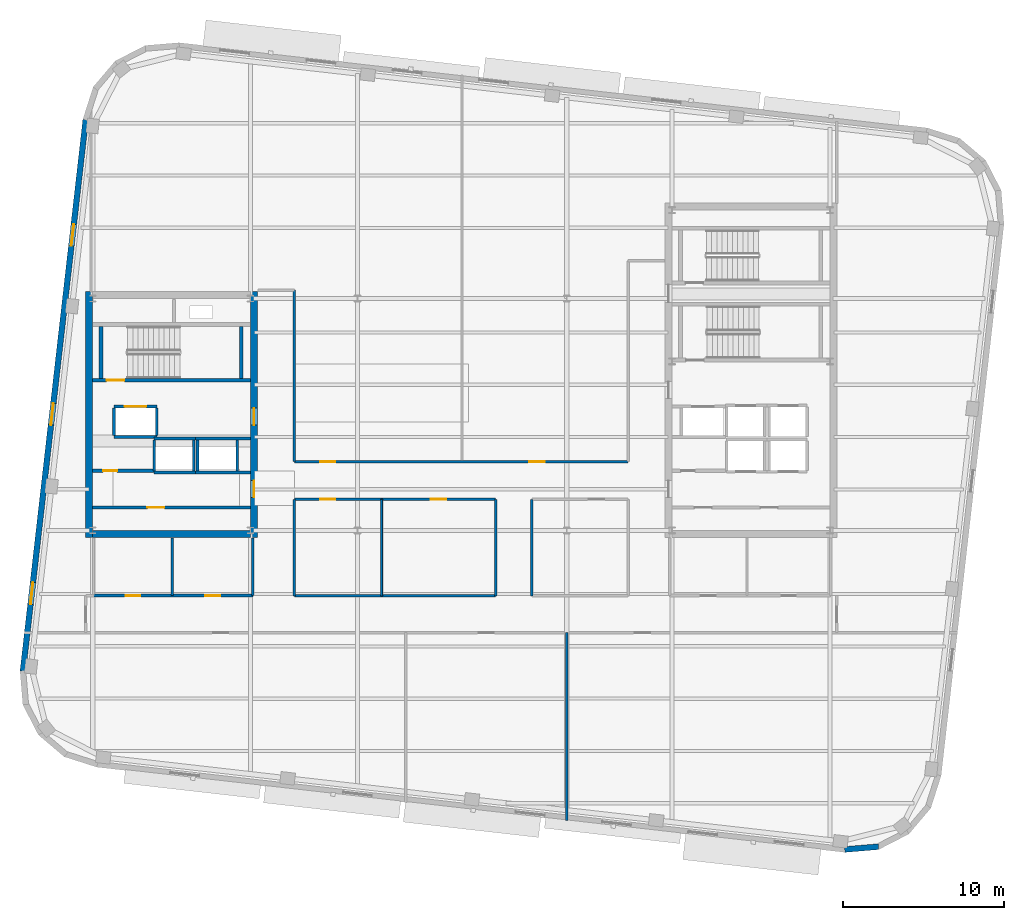
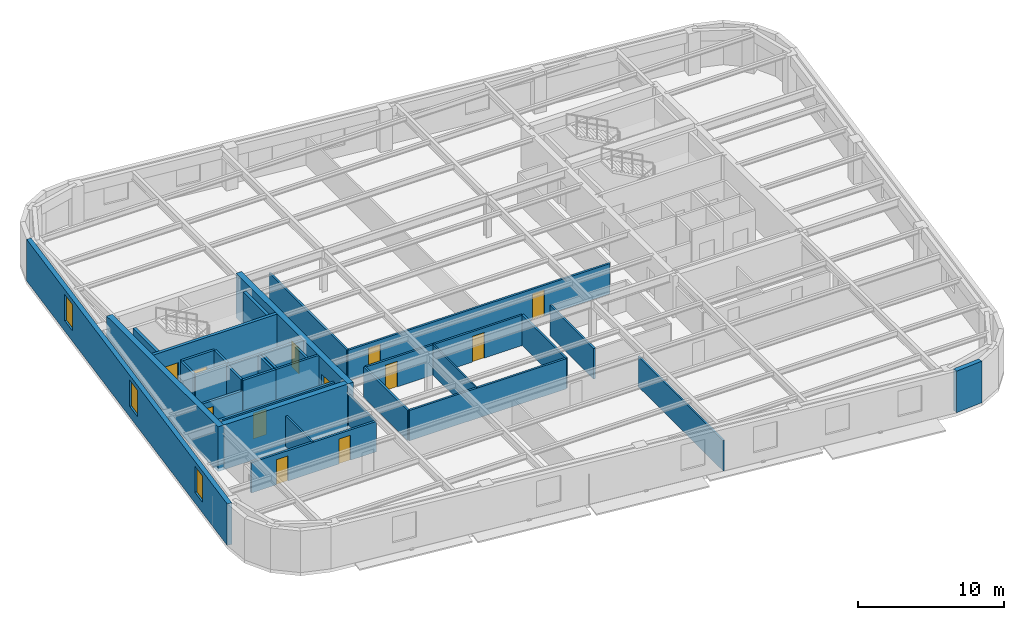
# One storey, part 6 of 13: 34 walls, 12 doors, 3 windows, 15 openings.
"""IFC4 building model written with IfcOpenShell, lengths in metres."""

from ifc_helpers import new_model, si_unit, direction, frame, frame_2d, origin, place, context, subcontext, project, spatial, rectangle, extrude, material, layer, layer_set, type_object, element, fill, save


model = new_model("IFC4")

# Units and contexts
model_context = context("Model", 3, precision=1e-05, world=origin(), true_north=direction((0.0, 1.0)))
body_context = subcontext(model_context, "Body", "Model", "MODEL_VIEW")
ifc_project = project(units=[si_unit("LENGTHUNIT", "METRE"), si_unit("AREAUNIT", "SQUARE_METRE"), si_unit("VOLUMEUNIT", "CUBIC_METRE"), si_unit("PLANEANGLEUNIT", "RADIAN"), si_unit("MASSUNIT", "GRAM", prefix="KILO")], contexts=[model_context])

# Site, building, storey
site_placement = place(None, origin())
site = spatial("IfcSite", under=ifc_project, at=site_placement, CompositionType="ELEMENT")
building_placement = place(site_placement, origin())
building = spatial("IfcBuilding", under=site, at=building_placement, Name="Kolvaren Arena Tower", CompositionType="ELEMENT")
storey_placement = place(building_placement, frame((0.0, 0.0, 262.199951171875)))
storey = spatial("IfcBuildingStorey", under=building, at=storey_placement, Name="L64", CompositionType="ELEMENT", Elevation=262.199951171875)

# Wall, openings, doors
ifc_material_1 = material(Name="Gypsum board acoustic assembly", Category="gypsum")
ifc_layer_1 = layer(ifc_material_1, 0.159912109375)
ifc_layer_set_1 = layer_set([ifc_layer_1], Name="Gypsum board acoustic assembly")
wall_type_1 = type_object("IfcWallType", Name="CORR-160", PredefinedType="PARTITIONING", material=ifc_layer_set_1)
wall_1_placement = place(storey_placement, frame((27.080078125, 23.719970703125, 0.0), z_axis=(0.0, 0.0, 1.0), x_axis=(1.0, 0.0, 0.0)))
wall_1 = element("IfcWall", 1, at=wall_1_placement, inside=storey, type_object=wall_type_1, Name="Interior Partition Wall (L64)", PredefinedType="PARTITIONING", context=body_context, shape_type="SweptSolid", body=[
    extrude(rectangle(XDim=20.739990234375, YDim=0.159912109375, at=frame_2d((10.3701171875, 0.0))), origin(), (0.0, 0.0, 1.0), 2.5400390625),
])
opening_1_placement = place(wall_1_placement, frame((1.594970703125, 0.0, 0.0)))
opening_1 = element("IfcOpeningElement", 2, at=opening_1_placement, cuts=wall_1, Name="Opening D05", PredefinedType="OPENING", context=body_context, shape_type="SweptSolid", body=[
    extrude(rectangle(XDim=0.949951171875, YDim=2.14990234375, at=frame_2d((0.47509765625, 1.074951171875))), frame((0.0, 0.08984375, 0.0), z_axis=(0.0, -1.0, 0.0), x_axis=(1.0, 0.0, 0.0)), (0.0, 0.0, 1.0), 0.179931640625),
])
opening_2_placement = place(wall_1_placement, frame((14.594970703125, 0.0, 0.0)))
opening_2 = element("IfcOpeningElement", 3, at=opening_2_placement, cuts=wall_1, Name="Opening D05", PredefinedType="OPENING", context=body_context, shape_type="SweptSolid", body=[
    extrude(rectangle(XDim=0.949951171875, YDim=2.14990234375, at=frame_2d((0.47509765625, 1.074951171875))), frame((0.0, 0.08984375, 0.0), z_axis=(0.0, -1.0, 0.0), x_axis=(1.0, 0.0, 0.0)), (0.0, 0.0, 1.0), 0.179931640625),
])
ifc_material_2 = material(Name="Solid-core oak acoustic office door", Category="wood")
door_type_1 = type_object("IfcDoorType", Name="DOOR-OF-095", OperationType="NOTDEFINED", PredefinedType="DOOR", material=ifc_material_2)
door_1_placement = place(opening_1_placement, origin())
door_1 = element("IfcDoor", 4, at=door_1_placement, inside=storey, type_object=door_type_1, Name="Corporate Project Office Door (L64)", OperationType="SINGLE_SWING_LEFT", OverallHeight=2.14990234375, OverallWidth=0.949951171875, PredefinedType="DOOR", context=body_context, shape_type="SweptSolid", body=[
    extrude(rectangle(XDim=0.949951171875, YDim=2.14990234375, at=frame_2d((0.47509765625, 1.074951171875))), frame((0.0, 0.02490234375, 0.0), z_axis=(0.0, -1.0, 0.0), x_axis=(1.0, 0.0, 0.0)), (0.0, 0.0, 1.0), 0.050048828125),
])
fill(opening_1, door_1)
door_2_placement = place(opening_2_placement, origin())
door_2 = element("IfcDoor", 5, at=door_2_placement, inside=storey, type_object=door_type_1, Name="Breakout Pantry and Kitchen Door (L64)", OperationType="SINGLE_SWING_RIGHT", OverallHeight=2.14990234375, OverallWidth=0.949951171875, PredefinedType="DOOR", context=body_context, shape_type="SweptSolid", body=[
    extrude(rectangle(XDim=0.949951171875, YDim=2.14990234375, at=frame_2d((0.47509765625, 1.074951171875))), frame((0.0, 0.02490234375, 0.0), z_axis=(0.0, -1.0, 0.0), x_axis=(1.0, 0.0, 0.0)), (0.0, 0.0, 1.0), 0.050048828125),
])
fill(opening_2, door_2)

# Wall
wall_2_placement = place(storey_placement, frame((27.080078125, 23.719970703125, 0.0), z_axis=(0.0, 0.0, 1.0), x_axis=(0.0, 1.0, 0.0)))
element("IfcWall", 6, at=wall_2_placement, inside=storey, type_object=wall_type_1, Name="Interior Partition Wall (L64)", PredefinedType="PARTITIONING", context=body_context, shape_type="SweptSolid", body=[
    extrude(rectangle(XDim=10.659912109375, YDim=0.159912109375, at=frame_2d((5.330078125, 0.0))), origin(), (0.0, 0.0, 1.0), 2.5400390625),
])

# Wall, openings, doors
wall_3_placement = place(storey_placement, frame((27.10009765625, 21.3798828125, 0.0), z_axis=(0.0, 0.0, 1.0), x_axis=(1.0, 0.0, 0.0)))
wall_3 = element("IfcWall", 7, at=wall_3_placement, inside=storey, type_object=wall_type_1, Name="Interior Partition Wall (L64)", PredefinedType="PARTITIONING", context=body_context, shape_type="SweptSolid", body=[
    extrude(rectangle(XDim=12.4599609375, YDim=0.159912109375, at=frame_2d((6.22998046875, 0.0))), origin(), (0.0, 0.0, 1.0), 2.5400390625),
])
opening_3_placement = place(wall_3_placement, frame((1.574951171875, 0.0, 0.0)))
opening_3 = element("IfcOpeningElement", 8, at=opening_3_placement, cuts=wall_3, Name="Opening D05", PredefinedType="OPENING", context=body_context, shape_type="SweptSolid", body=[
    extrude(rectangle(XDim=0.949951171875, YDim=2.14990234375, at=frame_2d((0.47509765625, 1.074951171875))), frame((0.0, 0.08984375, 0.0), z_axis=(0.0, -1.0, 0.0), x_axis=(1.0, 0.0, 0.0)), (0.0, 0.0, 1.0), 0.179931640625),
])
opening_4_placement = place(wall_3_placement, frame((8.455078125, 0.0, 0.0)))
opening_4 = element("IfcOpeningElement", 9, at=opening_4_placement, cuts=wall_3, Name="Opening D05", PredefinedType="OPENING", context=body_context, shape_type="SweptSolid", body=[
    extrude(rectangle(XDim=0.949951171875, YDim=2.14990234375, at=frame_2d((0.47509765625, 1.074951171875))), frame((0.0, 0.08984375, 0.0), z_axis=(0.0, -1.0, 0.0), x_axis=(1.0, 0.0, 0.0)), (0.0, 0.0, 1.0), 0.179931640625),
])
door_3_placement = place(opening_3_placement, origin())
door_3 = element("IfcDoor", 10, at=door_3_placement, inside=storey, type_object=door_type_1, Name="Meeting Room Door (L64)", OperationType="SINGLE_SWING_LEFT", OverallHeight=2.14990234375, OverallWidth=0.949951171875, PredefinedType="DOOR", context=body_context, shape_type="SweptSolid", body=[
    extrude(rectangle(XDim=0.949951171875, YDim=2.14990234375, at=frame_2d((0.47509765625, 1.074951171875))), frame((0.0, 0.02490234375, 0.0), z_axis=(0.0, -1.0, 0.0), x_axis=(1.0, 0.0, 0.0)), (0.0, 0.0, 1.0), 0.050048828125),
])
fill(opening_3, door_3)
door_4_placement = place(opening_4_placement, origin())
door_4 = element("IfcDoor", 11, at=door_4_placement, inside=storey, type_object=door_type_1, Name="Open Plan Office Door (L64)", OperationType="SINGLE_SWING_RIGHT", OverallHeight=2.14990234375, OverallWidth=0.949951171875, PredefinedType="DOOR", context=body_context, shape_type="SweptSolid", body=[
    extrude(rectangle(XDim=0.949951171875, YDim=2.14990234375, at=frame_2d((0.47509765625, 1.074951171875))), frame((0.0, 0.02490234375, 0.0), z_axis=(0.0, -1.0, 0.0), x_axis=(1.0, 0.0, 0.0)), (0.0, 0.0, 1.0), 0.050048828125),
])
fill(opening_4, door_4)

# Walls
wall_4_placement = place(storey_placement, frame((27.10009765625, 15.3798828125, 0.0), z_axis=(0.0, 0.0, 1.0), x_axis=(1.0, 0.0, 0.0)))
element("IfcWall", 12, at=wall_4_placement, inside=storey, type_object=wall_type_1, Name="Interior Partition Wall (L64)", PredefinedType="PARTITIONING", context=body_context, shape_type="SweptSolid", body=[
    extrude(rectangle(XDim=12.4599609375, YDim=0.159912109375, at=frame_2d((6.22998046875, 0.0))), origin(), (0.0, 0.0, 1.0), 2.5400390625),
])
for number, where, z_axis, x_axis, name in (
    (13, (39.580078125, 15.3798828125, 0.0), (0.0, 0.0, 1.0), (0.0, 1.0, 0.0), "Interior Partition Wall (L64)"),
    (14, (41.820068359375, 15.3798828125, 0.0), (0.0, 0.0, 1.0), (0.0, 1.0, 0.0), "Interior Partition Wall (L64)"),
    (15, (27.080078125, 15.3798828125, 0.0), (0.0, 0.0, 1.0), (0.0, 1.0, 0.0), "Interior Partition Wall (L64)"),
):
    element("IfcWall", number, at=place(storey_placement, frame(where, z_axis=z_axis, x_axis=x_axis)), inside=storey, type_object=wall_type_1, Name=name, PredefinedType="PARTITIONING", context=body_context, shape_type="SweptSolid", body=[
        extrude(rectangle(XDim=6.0, YDim=0.159912109375, at=frame_2d((3.0, 0.0))), origin(), (0.0, 0.0, 1.0), 2.5400390625),
    ])
ifc_material_3 = material(Name="Concrete 55 MPa", Category="concrete")
ifc_layer_2 = layer(ifc_material_3, 0.449951171875)
ifc_layer_set_2 = layer_set([ifc_layer_2], Name="Concrete 55 MPa")
wall_type_2 = type_object("IfcWallType", Name="CWALL-450", PredefinedType="SHEAR", material=ifc_layer_set_2)
wall_5_placement = place(storey_placement, frame((14.324951171875, 19.0, -0.27001953125), z_axis=(0.0, 0.0, 1.0), x_axis=(0.0, 1.0, 0.0)))
element("IfcWall", 16, at=wall_5_placement, inside=storey, type_object=wall_type_2, Name="Core Shear Wall WC-WEST (L64)", PredefinedType="SHEAR", context=body_context, shape_type="SweptSolid", body=[
    extrude(rectangle(XDim=15.300048828125, YDim=0.449951171875, at=frame_2d((7.64990234375, 0.0))), origin(), (0.0, 0.0, 1.0), 3.75),
])

# Wall, openings, doors
wall_6_placement = place(storey_placement, frame((24.574951171875, 19.0, -0.27001953125), z_axis=(0.0, 0.0, 1.0), x_axis=(0.0, 1.0, 0.0)))
wall_6 = element("IfcWall", 17, at=wall_6_placement, inside=storey, type_object=wall_type_2, Name="Core Shear Wall WC-EAST (L64)", PredefinedType="SHEAR", context=body_context, shape_type="SweptSolid", body=[
    extrude(rectangle(XDim=15.300048828125, YDim=0.449951171875, at=frame_2d((7.64990234375, 0.0))), origin(), (0.0, 0.0, 1.0), 3.75),
])
opening_5_placement = place(wall_6_placement, frame((2.5, 0.0, 0.27001953125)))
opening_5 = element("IfcOpeningElement", 18, at=opening_5_placement, cuts=wall_6, Name="Opening D04", PredefinedType="OPENING", context=body_context, shape_type="SweptSolid", body=[
    extrude(rectangle(XDim=1.050048828125, YDim=2.14990234375, at=frame_2d((0.52490234375, 1.074951171875))), frame((0.0, 0.23486328125, 0.0), z_axis=(0.0, -1.0, 0.0), x_axis=(1.0, 0.0, 0.0)), (0.0, 0.0, 1.0), 0.469970703125),
])
opening_6_placement = place(wall_6_placement, frame((7.0, 0.0, 0.27001953125)))
opening_6 = element("IfcOpeningElement", 19, at=opening_6_placement, cuts=wall_6, Name="Opening D04", PredefinedType="OPENING", context=body_context, shape_type="SweptSolid", body=[
    extrude(rectangle(XDim=1.050048828125, YDim=2.14990234375, at=frame_2d((0.52490234375, 1.074951171875))), frame((0.0, 0.23486328125, 0.0), z_axis=(0.0, -1.0, 0.0), x_axis=(1.0, 0.0, 0.0)), (0.0, 0.0, 1.0), 0.469970703125),
])
ifc_material_4 = material(Name="Fire-rated steel lobby door", Category="steel")
door_type_2 = type_object("IfcDoorType", Name="DOOR-FF-105", OperationType="NOTDEFINED", PredefinedType="DOOR", material=ifc_material_4)
door_5_placement = place(opening_5_placement, origin())
door_5 = element("IfcDoor", 20, at=door_5_placement, inside=storey, type_object=door_type_2, Name="West Lift Lobby Fire Door (L64)", OperationType="SINGLE_SWING_LEFT", OverallHeight=2.14990234375, OverallWidth=1.050048828125, PredefinedType="DOOR", context=body_context, shape_type="SweptSolid", body=[
    extrude(rectangle(XDim=1.050048828125, YDim=2.14990234375, at=frame_2d((0.52490234375, 1.074951171875))), frame((0.0, 0.02490234375, 0.0), z_axis=(0.0, -1.0, 0.0), x_axis=(1.0, 0.0, 0.0)), (0.0, 0.0, 1.0), 0.050048828125),
])
fill(opening_5, door_5)
door_6_placement = place(opening_6_placement, origin())
door_6 = element("IfcDoor", 21, at=door_6_placement, inside=storey, type_object=door_type_2, Name="West Firefighter Vestibule Door (L64)", OperationType="SINGLE_SWING_RIGHT", OverallHeight=2.14990234375, OverallWidth=1.050048828125, PredefinedType="DOOR", context=body_context, shape_type="SweptSolid", body=[
    extrude(rectangle(XDim=1.050048828125, YDim=2.14990234375, at=frame_2d((0.52490234375, 1.074951171875))), frame((0.0, 0.02490234375, 0.0), z_axis=(0.0, -1.0, 0.0), x_axis=(1.0, 0.0, 0.0)), (0.0, 0.0, 1.0), 0.050048828125),
])
fill(opening_6, door_6)

# Walls
wall_7_placement = place(storey_placement, frame((14.550048828125, 19.22509765625, -0.27001953125), z_axis=(0.0, 0.0, 1.0), x_axis=(1.0, 0.0, 0.0)))
element("IfcWall", 22, at=wall_7_placement, inside=storey, type_object=wall_type_2, Name="Core Shear Wall WC-SOUTH (L64)", PredefinedType="SHEAR", context=body_context, shape_type="SweptSolid", body=[
    extrude(rectangle(XDim=9.800048828125, YDim=0.449951171875, at=frame_2d((4.89990234375, 0.0))), origin(), (0.0, 0.0, 1.0), 3.75),
])
ifc_material_5 = material(Name="Precast concrete C50/60", Category="concrete")
ifc_layer_3 = layer(ifc_material_5, 0.360107421875)
ifc_layer_set_3 = layer_set([ifc_layer_3], Name="Precast concrete C50/60")
wall_type_3 = type_object("IfcWallType", Name="EXT-PIER2", PredefinedType="SOLIDWALL", material=ifc_layer_set_3)
wall_8_placement = place(storey_placement, frame((63.370361328125, -0.199462890625, 0.0), z_axis=(0.0, 0.0, 1.0), x_axis=(-0.996562518477, -0.082844111233, 0.0)))
element("IfcWall", 23, at=wall_8_placement, inside=storey, type_object=wall_type_3, Name="Exterior Precast Masonry-Frame Wall (L64)", PredefinedType="SOLIDWALL", context=body_context, shape_type="SweptSolid", body=[
    extrude(rectangle(XDim=2.107177734375, YDim=0.360107421875, at=frame_2d((1.0537109375, 0.0))), origin(), (0.0, 0.0, 1.0), 3.47998046875),
])

# Wall, openings, windows
wall_9_placement = place(storey_placement, frame((10.211181640625, 10.70068359375, 0.0), z_axis=(0.0, 0.0, 1.0), x_axis=(0.113203107947, 0.993571867733, 0.0)))
wall_9 = element("IfcWall", 24, at=wall_9_placement, inside=storey, type_object=wall_type_3, Name="Exterior Precast Masonry-Frame Wall (L64)", PredefinedType="SOLIDWALL", context=body_context, shape_type="SweptSolid", body=[
    extrude(rectangle(XDim=34.5, YDim=0.360107421875, at=frame_2d((17.25, 0.0))), origin(), (0.0, 0.0, 1.0), 3.47998046875),
])
opening_7_placement = place(wall_9_placement, frame((4.199951171875, 0.0, 0.8798828125)))
opening_7 = element("IfcOpeningElement", 25, at=opening_7_placement, cuts=wall_9, Name="Opening W04", PredefinedType="OPENING", context=body_context, shape_type="SweptSolid", body=[
    extrude(rectangle(XDim=1.35009765625, YDim=2.199951171875, at=frame_2d((0.675048828125, 1.10009765625))), frame((0.0, 0.18994140625, 0.0), z_axis=(0.0, -1.0, 0.0), x_axis=(1.0, 0.0, 0.0)), (0.0, 0.0, 1.0), 0.380126953125),
])
opening_8_placement = place(wall_9_placement, frame((15.39990234375, 0.0, 0.8798828125)))
opening_8 = element("IfcOpeningElement", 26, at=opening_8_placement, cuts=wall_9, Name="Opening W04", PredefinedType="OPENING", context=body_context, shape_type="SweptSolid", body=[
    extrude(rectangle(XDim=1.35009765625, YDim=2.199951171875, at=frame_2d((0.675048828125, 1.10009765625))), frame((0.0, 0.18994140625, 0.0), z_axis=(0.0, -1.0, 0.0), x_axis=(1.0, 0.0, 0.0)), (0.0, 0.0, 1.0), 0.380126953125),
])
opening_9_placement = place(wall_9_placement, frame((26.60009765625, 0.0, 0.8798828125)))
opening_9 = element("IfcOpeningElement", 27, at=opening_9_placement, cuts=wall_9, Name="Opening W04", PredefinedType="OPENING", context=body_context, shape_type="SweptSolid", body=[
    extrude(rectangle(XDim=1.35009765625, YDim=2.199951171875, at=frame_2d((0.675048828125, 1.10009765625))), frame((0.0, 0.18994140625, 0.0), z_axis=(0.0, -1.0, 0.0), x_axis=(1.0, 0.0, 0.0)), (0.0, 0.0, 1.0), 0.380126953125),
])
ifc_material_6 = material(Name="Triple-glazed curved-facet corner window", Category="glass")
window_type = type_object("IfcWindowType", Name="WIN-CRN-A", PartitioningType="SINGLE_PANEL", PredefinedType="WINDOW", material=ifc_material_6)
window_1_placement = place(opening_7_placement, origin())
window_1 = element("IfcWindow", 28, at=window_1_placement, inside=storey, type_object=window_type, Name="End-Wall Punched Window (L64)", OverallHeight=2.199951171875, OverallWidth=1.35009765625, PartitioningType="SINGLE_PANEL", PredefinedType="WINDOW", context=body_context, shape_type="SweptSolid", body=[
    extrude(rectangle(XDim=1.35009765625, YDim=2.199951171875, at=frame_2d((0.675048828125, 1.10009765625))), frame((0.0, 0.030029296875, 0.0), z_axis=(0.0, -1.0, 0.0), x_axis=(1.0, 0.0, 0.0)), (0.0, 0.0, 1.0), 0.06005859375),
])
fill(opening_7, window_1)
window_2_placement = place(opening_8_placement, origin())
window_2 = element("IfcWindow", 29, at=window_2_placement, inside=storey, type_object=window_type, Name="End-Wall Punched Window (L64)", OverallHeight=2.199951171875, OverallWidth=1.35009765625, PartitioningType="SINGLE_PANEL", PredefinedType="WINDOW", context=body_context, shape_type="SweptSolid", body=[
    extrude(rectangle(XDim=1.35009765625, YDim=2.199951171875, at=frame_2d((0.675048828125, 1.10009765625))), frame((0.0, 0.030029296875, 0.0), z_axis=(0.0, -1.0, 0.0), x_axis=(1.0, 0.0, 0.0)), (0.0, 0.0, 1.0), 0.06005859375),
])
fill(opening_8, window_2)
window_3_placement = place(opening_9_placement, origin())
window_3 = element("IfcWindow", 30, at=window_3_placement, inside=storey, type_object=window_type, Name="End-Wall Punched Window (L64)", OverallHeight=2.199951171875, OverallWidth=1.35009765625, PartitioningType="SINGLE_PANEL", PredefinedType="WINDOW", context=body_context, shape_type="SweptSolid", body=[
    extrude(rectangle(XDim=1.35009765625, YDim=2.199951171875, at=frame_2d((0.675048828125, 1.10009765625))), frame((0.0, 0.030029296875, 0.0), z_axis=(0.0, -1.0, 0.0), x_axis=(1.0, 0.0, 0.0)), (0.0, 0.0, 1.0), 0.06005859375),
])
fill(opening_9, window_3)

# Wall, opening, door
ifc_material_7 = material(Name="Concrete 40 MPa", Category="concrete")
ifc_layer_4 = layer(ifc_material_7, 0.199951171875)
ifc_layer_set_4 = layer_set([ifc_layer_4], Name="Concrete 40 MPa")
wall_type_4 = type_object("IfcWallType", Name="LOBBY-200", PredefinedType="SOLIDWALL", material=ifc_layer_set_4)
wall_10_placement = place(storey_placement, frame((14.550048828125, 20.8798828125, 0.0), z_axis=(0.0, 0.0, 1.0), x_axis=(1.0, 0.0, 0.0)))
wall_10 = element("IfcWall", 31, at=wall_10_placement, inside=storey, type_object=wall_type_4, Name="Core Shaft Wall (L64)", PredefinedType="SOLIDWALL", context=body_context, shape_type="SweptSolid", body=[
    extrude(rectangle(XDim=9.800048828125, YDim=0.199951171875, at=frame_2d((4.89990234375, 0.0))), origin(), (0.0, 0.0, 1.0), 2.5400390625),
])
opening_10_placement = place(wall_10_placement, frame((3.39990234375, 0.0, 0.0)))
opening_10 = element("IfcOpeningElement", 32, at=opening_10_placement, cuts=wall_10, Name="Opening D04", PredefinedType="OPENING", context=body_context, shape_type="SweptSolid", body=[
    extrude(rectangle(XDim=1.050048828125, YDim=2.14990234375, at=frame_2d((0.52490234375, 1.074951171875))), frame((0.0, 0.10986328125, 0.0), z_axis=(0.0, -1.0, 0.0), x_axis=(1.0, 0.0, 0.0)), (0.0, 0.0, 1.0), 0.219970703125),
])
door_7_placement = place(opening_10_placement, origin())
door_7 = element("IfcDoor", 33, at=door_7_placement, inside=storey, type_object=door_type_2, Name="West IT Room Fire Door (L64)", OperationType="SINGLE_SWING_LEFT", OverallHeight=2.14990234375, OverallWidth=1.050048828125, PredefinedType="DOOR", context=body_context, shape_type="SweptSolid", body=[
    extrude(rectangle(XDim=1.050048828125, YDim=2.14990234375, at=frame_2d((0.52490234375, 1.074951171875))), frame((0.0, 0.02490234375, 0.0), z_axis=(0.0, -1.0, 0.0), x_axis=(1.0, 0.0, 0.0)), (0.0, 0.0, 1.0), 0.050048828125),
])
fill(opening_10, door_7)

wall_11_placement = place(storey_placement, frame((14.550048828125, 23.159912109375, 0.0), z_axis=(0.0, 0.0, 1.0), x_axis=(1.0, 0.0, 0.0)))
wall_11 = element("IfcWall", 34, at=wall_11_placement, inside=storey, type_object=wall_type_4, Name="Core Shaft Wall (L64)", PredefinedType="SOLIDWALL", context=body_context, shape_type="SweptSolid", body=[
    extrude(rectangle(XDim=3.820068359375, YDim=0.199951171875, at=frame_2d((1.91015625, 0.0))), origin(), (0.0, 0.0, 1.0), 2.5400390625),
])
opening_11_placement = place(wall_11_placement, frame((0.64990234375, 0.0, 0.0)))
opening_11 = element("IfcOpeningElement", 35, at=opening_11_placement, cuts=wall_11, Name="Opening D09", PredefinedType="OPENING", context=body_context, shape_type="SweptSolid", body=[
    extrude(rectangle(XDim=0.860107421875, YDim=2.050048828125, at=frame_2d((0.43017578125, 1.02490234375))), frame((0.0, 0.10986328125, 0.0), z_axis=(0.0, -1.0, 0.0), x_axis=(1.0, 0.0, 0.0)), (0.0, 0.0, 1.0), 0.219970703125),
])
ifc_material_8 = material(Name="Fire-rated steel riser access door", Category="steel")
door_type_3 = type_object("IfcDoorType", Name="DOOR-RS-086", OperationType="NOTDEFINED", PredefinedType="DOOR", material=ifc_material_8)
door_8_placement = place(opening_11_placement, origin())
door_8 = element("IfcDoor", 36, at=door_8_placement, inside=storey, type_object=door_type_3, Name="West Document Archive Riser Door (L64)", OperationType="SINGLE_SWING_RIGHT", OverallHeight=2.050048828125, OverallWidth=0.860107421875, PredefinedType="DOOR", context=body_context, shape_type="SweptSolid", body=[
    extrude(rectangle(XDim=0.860107421875, YDim=2.050048828125, at=frame_2d((0.43017578125, 1.02490234375))), frame((0.0, 0.02490234375, 0.0), z_axis=(0.0, -1.0, 0.0), x_axis=(1.0, 0.0, 0.0)), (0.0, 0.0, 1.0), 0.050048828125),
])
fill(opening_11, door_8)

# Walls
ifc_material_9 = material(Name="Gypsum board partition assembly", Category="gypsum")
ifc_layer_5 = layer(ifc_material_9, 0.114990234375)
ifc_layer_set_5 = layer_set([ifc_layer_5], Name="Gypsum board partition assembly")
wall_type_5 = type_object("IfcWallType", Name="PART-115", PredefinedType="PARTITIONING", material=ifc_layer_set_5)
wall_12_placement = place(storey_placement, frame((32.5, 15.3798828125, 0.0), z_axis=(0.0, 0.0, 1.0), x_axis=(0.0, 1.0, 0.0)))
element("IfcWall", 37, at=wall_12_placement, inside=storey, type_object=wall_type_5, Name="Interior Partition Wall (L64)", PredefinedType="PARTITIONING", context=body_context, shape_type="SweptSolid", body=[
    extrude(rectangle(XDim=6.0, YDim=0.114990234375, at=frame_2d((3.0, 0.0))), origin(), (0.0, 0.0, 1.0), 2.5400390625),
])
ifc_layer_6 = layer(ifc_material_9, 0.135009765625)
ifc_layer_set_6 = layer_set([ifc_layer_6], Name="Gypsum board partition assembly")
wall_type_6 = type_object("IfcWallType", Name="PART-135", PredefinedType="PARTITIONING", material=ifc_layer_set_6)
wall_13_placement = place(storey_placement, frame((44.0, 1.416015625, 0.0), z_axis=(0.0, 0.0, 1.0), x_axis=(0.0, 1.0, 0.0)))
element("IfcWall", 38, at=wall_13_placement, inside=storey, type_object=wall_type_6, Name="Interior Partition Wall (L64)", PredefinedType="PARTITIONING", context=body_context, shape_type="SweptSolid", body=[
    extrude(rectangle(XDim=11.68408203125, YDim=0.135009765625, at=frame_2d((5.842041015625, 0.0))), origin(), (0.0, 0.0, 1.0), 2.5400390625),
])

# Wall, opening, door
ifc_material_10 = material(Name="Concrete 45 MPa", Category="concrete")
ifc_layer_7 = layer(ifc_material_10, 0.25)
ifc_layer_set_7 = layer_set([ifc_layer_7], Name="Concrete 45 MPa")
wall_type_7 = type_object("IfcWallType", Name="SHAFT-250", PredefinedType="SOLIDWALL", material=ifc_layer_set_7)
wall_14_placement = place(storey_placement, frame((24.35009765625, 28.780029296875, 0.0), z_axis=(0.0, 0.0, 1.0), x_axis=(-1.0, 0.0, 0.0)))
wall_14 = element("IfcWall", 39, at=wall_14_placement, inside=storey, type_object=wall_type_7, Name="Core Shaft Wall (L64)", PredefinedType="SOLIDWALL", context=body_context, shape_type="SweptSolid", body=[
    extrude(rectangle(XDim=9.800048828125, YDim=0.239990234375, at=frame_2d((4.89990234375, 0.0))), origin(), (0.0, 0.0, 1.0), 3.47998046875),
])
opening_12_placement = place(wall_14_placement, frame((7.830078125, 0.0, 0.0)))
opening_12 = element("IfcOpeningElement", 40, at=opening_12_placement, cuts=wall_14, Name="Opening D03", PredefinedType="OPENING", context=body_context, shape_type="SweptSolid", body=[
    extrude(rectangle(XDim=1.10009765625, YDim=2.14990234375, at=frame_2d((0.550048828125, 1.074951171875))), frame((0.0, 0.1298828125, 0.0), z_axis=(0.0, -1.0, 0.0), x_axis=(1.0, 0.0, 0.0)), (0.0, 0.0, 1.0), 0.260009765625),
])
ifc_material_11 = material(Name="Fire-rated steel exit stair door", Category="steel")
door_type_4 = type_object("IfcDoorType", Name="DOOR-ST-110", OperationType="NOTDEFINED", PredefinedType="DOOR", material=ifc_material_11)
door_9_placement = place(opening_12_placement, origin())
door_9 = element("IfcDoor", 41, at=door_9_placement, inside=storey, type_object=door_type_4, Name="Stair ST-W1 Fire Door (L64)", OperationType="SINGLE_SWING_RIGHT", OverallHeight=2.14990234375, OverallWidth=1.10009765625, PredefinedType="DOOR", context=body_context, shape_type="SweptSolid", body=[
    extrude(rectangle(XDim=1.10009765625, YDim=2.14990234375, at=frame_2d((0.550048828125, 1.074951171875))), frame((0.0, 0.02490234375, 0.0), z_axis=(0.0, -1.0, 0.0), x_axis=(1.0, 0.0, 0.0)), (0.0, 0.0, 1.0), 0.050048828125),
])
fill(opening_12, door_9)

# Walls
for number, where, z_axis, x_axis, name in (
    (42, (15.06005859375, 28.89990234375, 0.0), (0.0, 0.0, 1.0), (0.0, 1.0, 0.0), "Core Shaft Wall (L64)"),
    (43, (23.780029296875, 28.89990234375, 0.0), (0.0, 0.0, 1.0), (0.0, 1.0, 0.0), "Core Shaft Wall (L64)"),
):
    element("IfcWall", number, at=place(storey_placement, frame(where, z_axis=z_axis, x_axis=x_axis)), inside=storey, type_object=wall_type_7, Name=name, PredefinedType="SOLIDWALL", context=body_context, shape_type="SweptSolid", body=[
        extrude(rectangle(XDim=3.22998046875, YDim=0.239990234375, at=frame_2d((1.614990234375, 0.0))), origin(), (0.0, 0.0, 1.0), 3.47998046875),
    ])
for number, where, z_axis, x_axis, name in (
    (44, (18.3701171875, 25.155029296875, 0.0), (0.0, 0.0, 1.0), (1.0, 0.0, 0.0), "Core Shaft Wall (L64)"),
    (45, (18.3701171875, 23.044921875, 0.0), (0.0, 0.0, 1.0), (1.0, 0.0, 0.0), "Core Shaft Wall (L64)"),
):
    element("IfcWall", number, at=place(storey_placement, frame(where, z_axis=z_axis, x_axis=x_axis)), inside=storey, type_object=wall_type_7, Name=name, PredefinedType="SOLIDWALL", context=body_context, shape_type="SweptSolid", body=[
        extrude(rectangle(XDim=2.579833984375, YDim=0.179931640625, at=frame_2d((1.2900390625, 0.0))), origin(), (0.0, 0.0, 1.0), 3.47998046875),
    ])
for number, where, z_axis, x_axis, name in (
    (46, (18.3701171875, 23.135009765625, 0.0), (0.0, 0.0, 1.0), (0.0, 1.0, 0.0), "Core Shaft Wall (L64)"),
    (47, (20.830078125, 23.135009765625, 0.0), (0.0, 0.0, 1.0), (0.0, 1.0, 0.0), "Core Shaft Wall (L64)"),
):
    element("IfcWall", number, at=place(storey_placement, frame(where, z_axis=z_axis, x_axis=x_axis)), inside=storey, type_object=wall_type_7, Name=name, PredefinedType="SOLIDWALL", context=body_context, shape_type="SweptSolid", body=[
        extrude(rectangle(XDim=1.929931640625, YDim=0.179931640625, at=frame_2d((0.96484375, 0.0))), origin(), (0.0, 0.0, 1.0), 3.47998046875),
    ])
for number, where, z_axis, x_axis, name in (
    (48, (20.949951171875, 25.155029296875, 0.0), (0.0, 0.0, 1.0), (1.0, 0.0, 0.0), "Core Shaft Wall (L64)"),
    (49, (20.949951171875, 23.044921875, 0.0), (0.0, 0.0, 1.0), (1.0, 0.0, 0.0), "Core Shaft Wall (L64)"),
):
    element("IfcWall", number, at=place(storey_placement, frame(where, z_axis=z_axis, x_axis=x_axis)), inside=storey, type_object=wall_type_7, Name=name, PredefinedType="SOLIDWALL", context=body_context, shape_type="SweptSolid", body=[
        extrude(rectangle(XDim=3.400146484375, YDim=0.179931640625, at=frame_2d((1.7001953125, 0.0))), origin(), (0.0, 0.0, 1.0), 3.47998046875),
    ])
for number, where, z_axis, x_axis, name in (
    (50, (21.070068359375, 23.135009765625, 0.0), (0.0, 0.0, 1.0), (0.0, 1.0, 0.0), "Core Shaft Wall (L64)"),
    (51, (23.530029296875, 23.135009765625, 0.0), (0.0, 0.0, 1.0), (0.0, 1.0, 0.0), "Core Shaft Wall (L64)"),
):
    element("IfcWall", number, at=place(storey_placement, frame(where, z_axis=z_axis, x_axis=x_axis)), inside=storey, type_object=wall_type_7, Name=name, PredefinedType="SOLIDWALL", context=body_context, shape_type="SweptSolid", body=[
        extrude(rectangle(XDim=1.929931640625, YDim=0.179931640625, at=frame_2d((0.96484375, 0.0))), origin(), (0.0, 0.0, 1.0), 3.47998046875),
    ])

# Wall, opening, door
wall_15_placement = place(storey_placement, frame((15.8701171875, 27.155029296875, 0.0), z_axis=(0.0, 0.0, 1.0), x_axis=(1.0, 0.0, 0.0)))
wall_15 = element("IfcWall", 52, at=wall_15_placement, inside=storey, type_object=wall_type_7, Name="Core Shaft Wall (L64)", PredefinedType="SOLIDWALL", context=body_context, shape_type="SweptSolid", body=[
    extrude(rectangle(XDim=2.659912109375, YDim=0.179931640625, at=frame_2d((1.330078125, 0.0))), origin(), (0.0, 0.0, 1.0), 3.47998046875),
])
opening_13_placement = place(wall_15_placement, frame((0.655029296875, 0.0, 0.0)))
opening_13 = element("IfcOpeningElement", 53, at=opening_13_placement, cuts=wall_15, Name="Opening LD2", PredefinedType="OPENING", context=body_context, shape_type="SweptSolid", body=[
    extrude(rectangle(XDim=1.35009765625, YDim=2.300048828125, at=frame_2d((0.675048828125, 1.14990234375))), frame((0.0, 0.099853515625, 0.0), z_axis=(0.0, -1.0, 0.0), x_axis=(1.0, 0.0, 0.0)), (0.0, 0.0, 1.0), 0.199951171875),
])
ifc_material_12 = material(Name="Stainless steel firefighter lift landing door", Category="steel")
door_type_5 = type_object("IfcDoorType", Name="DOOR-LD-135", OperationType="DOUBLE_DOOR_SLIDING", PredefinedType="DOOR", material=ifc_material_12)
door_10_placement = place(opening_13_placement, origin())
door_10 = element("IfcDoor", 54, at=door_10_placement, inside=storey, type_object=door_type_5, Name="Firefighter Lift FF-W1 Landing Door (L64)", OperationType="DOUBLE_DOOR_SLIDING", OverallHeight=2.300048828125, OverallWidth=1.35009765625, PredefinedType="DOOR", context=body_context, shape_type="SweptSolid", body=[
    extrude(rectangle(XDim=1.35009765625, YDim=2.300048828125, at=frame_2d((0.675048828125, 1.14990234375))), frame((0.0, 0.02490234375, 0.0), z_axis=(0.0, -1.0, 0.0), x_axis=(1.0, 0.0, 0.0)), (0.0, 0.0, 1.0), 0.050048828125),
])
fill(opening_13, door_10)

# Walls
wall_16_placement = place(storey_placement, frame((15.8701171875, 25.2451171875, 0.0), z_axis=(0.0, 0.0, 1.0), x_axis=(1.0, 0.0, 0.0)))
element("IfcWall", 55, at=wall_16_placement, inside=storey, type_object=wall_type_7, Name="Core Shaft Wall (L64)", PredefinedType="SOLIDWALL", context=body_context, shape_type="SweptSolid", body=[
    extrude(rectangle(XDim=2.659912109375, YDim=0.179931640625, at=frame_2d((1.330078125, 0.0))), origin(), (0.0, 0.0, 1.0), 3.47998046875),
])
for number, where, z_axis, x_axis, name in (
    (56, (15.8701171875, 25.3349609375, 0.0), (0.0, 0.0, 1.0), (0.0, 1.0, 0.0), "Core Shaft Wall (L64)"),
    (57, (18.530029296875, 25.3349609375, 0.0), (0.0, 0.0, 1.0), (0.0, 1.0, 0.0), "Core Shaft Wall (L64)"),
):
    element("IfcWall", number, at=place(storey_placement, frame(where, z_axis=z_axis, x_axis=x_axis)), inside=storey, type_object=wall_type_7, Name=name, PredefinedType="SOLIDWALL", context=body_context, shape_type="SweptSolid", body=[
        extrude(rectangle(XDim=1.72998046875, YDim=0.179931640625, at=frame_2d((0.864990234375, 0.0))), origin(), (0.0, 0.0, 1.0), 3.47998046875),
    ])
ifc_material_13 = material(Name="Moisture-resistant gypsum assembly", Category="gypsum")
ifc_layer_8 = layer(ifc_material_13, 0.14990234375)
ifc_layer_set_8 = layer_set([ifc_layer_8], Name="Moisture-resistant gypsum assembly")
wall_type_8 = type_object("IfcWallType", Name="WETW-150", PredefinedType="PARTITIONING", material=ifc_layer_set_8)
wall_17_placement = place(storey_placement, frame((19.5, 15.39990234375, 0.0), z_axis=(0.0, 0.0, 1.0), x_axis=(0.0, 1.0, 0.0)))
element("IfcWall", 58, at=wall_17_placement, inside=storey, type_object=wall_type_8, Name="Interior Partition Wall (L64)", PredefinedType="PARTITIONING", context=body_context, shape_type="SweptSolid", body=[
    extrude(rectangle(XDim=3.580078125, YDim=0.14990234375, at=frame_2d((1.7900390625, 0.0))), origin(), (0.0, 0.0, 1.0), 2.5400390625),
])

# Wall, openings, doors
wall_18_placement = place(storey_placement, frame((14.60009765625, 15.39990234375, 0.0), z_axis=(0.0, 0.0, 1.0), x_axis=(1.0, 0.0, 0.0)))
wall_18 = element("IfcWall", 59, at=wall_18_placement, inside=storey, type_object=wall_type_8, Name="Interior Partition Wall (L64)", PredefinedType="PARTITIONING", context=body_context, shape_type="SweptSolid", body=[
    extrude(rectangle(XDim=9.89990234375, YDim=0.179931640625, at=frame_2d((4.949951171875, 0.0))), origin(), (0.0, 0.0, 1.0), 2.5400390625),
])
opening_14_placement = place(wall_18_placement, frame((1.989990234375, 0.0, 0.0)))
opening_14 = element("IfcOpeningElement", 60, at=opening_14_placement, cuts=wall_18, Name="Opening D07", PredefinedType="OPENING", context=body_context, shape_type="SweptSolid", body=[
    extrude(rectangle(XDim=0.919921875, YDim=2.10009765625, at=frame_2d((0.4599609375, 1.050048828125))), frame((0.0, 0.099853515625, 0.0), z_axis=(0.0, -1.0, 0.0), x_axis=(1.0, 0.0, 0.0)), (0.0, 0.0, 1.0), 0.199951171875),
])
opening_15_placement = place(wall_18_placement, frame((6.93994140625, 0.0, 0.0)))
opening_15 = element("IfcOpeningElement", 61, at=opening_15_placement, cuts=wall_18, Name="Opening D07", PredefinedType="OPENING", context=body_context, shape_type="SweptSolid", body=[
    extrude(rectangle(XDim=0.919921875, YDim=2.10009765625, at=frame_2d((0.4599609375, 1.050048828125))), frame((0.0, 0.099853515625, 0.0), z_axis=(0.0, -1.0, 0.0), x_axis=(1.0, 0.0, 0.0)), (0.0, 0.0, 1.0), 0.199951171875),
])
ifc_material_14 = material(Name="Laminate universal washroom door", Category="wood")
door_type_6 = type_object("IfcDoorType", Name="DOOR-WC-092", OperationType="NOTDEFINED", PredefinedType="DOOR", material=ifc_material_14)
door_11_placement = place(opening_14_placement, origin())
door_11 = element("IfcDoor", 62, at=door_11_placement, inside=storey, type_object=door_type_6, Name="Universal Barrier-Free Washroom Door (L64)", OperationType="SINGLE_SWING_RIGHT", OverallHeight=2.10009765625, OverallWidth=0.919921875, PredefinedType="DOOR", context=body_context, shape_type="SweptSolid", body=[
    extrude(rectangle(XDim=0.919921875, YDim=2.10009765625, at=frame_2d((0.4599609375, 1.050048828125))), frame((0.0, 0.02490234375, 0.0), z_axis=(0.0, -1.0, 0.0), x_axis=(1.0, 0.0, 0.0)), (0.0, 0.0, 1.0), 0.050048828125),
])
fill(opening_14, door_11)
door_12_placement = place(opening_15_placement, origin())
door_12 = element("IfcDoor", 63, at=door_12_placement, inside=storey, type_object=door_type_6, Name="Gender-Neutral Washroom Door (L64)", OperationType="SINGLE_SWING_LEFT", OverallHeight=2.10009765625, OverallWidth=0.919921875, PredefinedType="DOOR", context=body_context, shape_type="SweptSolid", body=[
    extrude(rectangle(XDim=0.919921875, YDim=2.10009765625, at=frame_2d((0.4599609375, 1.050048828125))), frame((0.0, 0.02490234375, 0.0), z_axis=(0.0, -1.0, 0.0), x_axis=(1.0, 0.0, 0.0)), (0.0, 0.0, 1.0), 0.050048828125),
])
fill(opening_15, door_12)

# Wall
wall_19_placement = place(storey_placement, frame((24.5, 15.39990234375, 0.0), z_axis=(0.0, 0.0, 1.0), x_axis=(0.0, 1.0, 0.0)))
element("IfcWall", 64, at=wall_19_placement, inside=storey, type_object=wall_type_8, Name="Interior Partition Wall (L64)", PredefinedType="PARTITIONING", context=body_context, shape_type="SweptSolid", body=[
    extrude(rectangle(XDim=3.580078125, YDim=0.14990234375, at=frame_2d((1.7900390625, 0.0))), origin(), (0.0, 0.0, 1.0), 2.5400390625),
])

save(model, "model.ifc")
